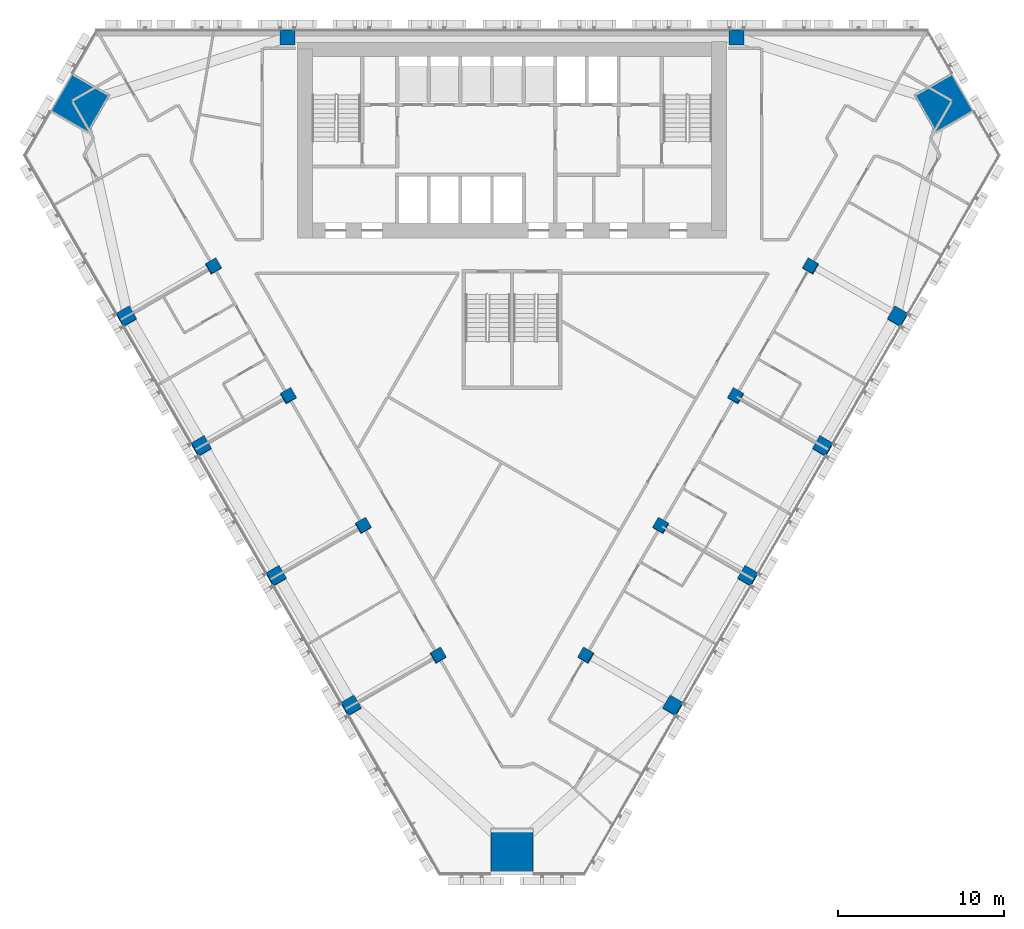
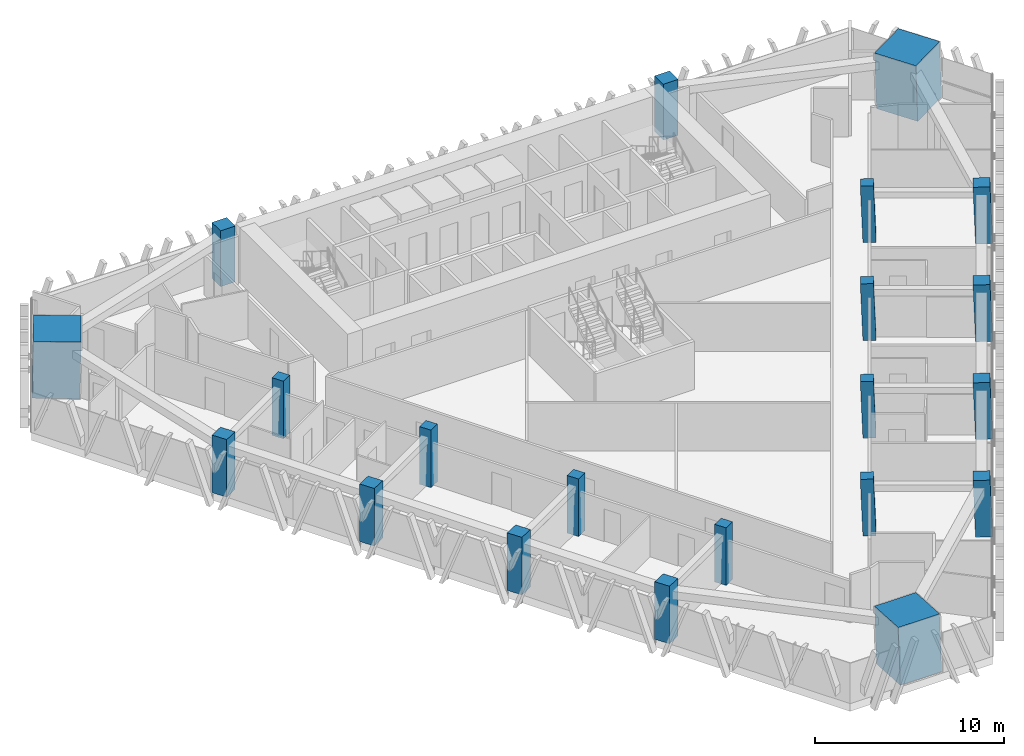
# One storey, part 1 of 16: 21 columns.
"""IFC4 building model written with IfcOpenShell, lengths in metres."""

from ifc_helpers import new_model, si_unit, direction, frame, origin, origin_2d, place, context, subcontext, project, spatial, rectangle, extrude, material, material_profile, profile_set, type_object, element, save


model = new_model("IFC4")

# Units and contexts
model_context = context("Model", 3, precision=1e-05, world=origin(), true_north=direction((0.0, 1.0)))
body_context = subcontext(model_context, "Body", "Model", "MODEL_VIEW")
ifc_project = project(units=[si_unit("LENGTHUNIT", "METRE"), si_unit("AREAUNIT", "SQUARE_METRE"), si_unit("VOLUMEUNIT", "CUBIC_METRE"), si_unit("PLANEANGLEUNIT", "RADIAN"), si_unit("MASSUNIT", "GRAM", prefix="KILO")], contexts=[model_context])

# Site, building, storey
site_placement = place(None, origin())
site = spatial("IfcSite", under=ifc_project, at=site_placement, CompositionType="ELEMENT")
building_placement = place(site_placement, origin())
building = spatial("IfcBuilding", under=site, at=building_placement, Name="Altiplano Prism Tower", CompositionType="ELEMENT")
storey_placement = place(building_placement, frame((0.0, 0.0, 88.199951171875)))
storey = spatial("IfcBuildingStorey", under=building, at=storey_placement, Name="L22", CompositionType="ELEMENT", Elevation=88.199951171875)

# Columns
ifc_material_1 = material(Name="Concrete C60/75", Category="concrete")
ifc_material_profile_1 = material_profile(ifc_material_1, rectangle(XDim=0.699951171875, YDim=0.699951171875, at=origin_2d()), Name="Inner column 700")
ifc_profile_set_1 = profile_set([ifc_material_profile_1], Name="Concrete C60/75")
column_type_1 = type_object("IfcColumnType", Name="Inner column 700", PredefinedType="COLUMN", material=ifc_profile_set_1)
for number, where, z_axis, x_axis, name in (
    (1, (67.052001953125, 90.7958984375, -0.021240234375), (0.022221406801, 0.038413224561, 0.999014831351), (-0.866024065394, -0.498523117158, 0.038432015521), "Inner column I11 L22"),
    (2, (71.552001953125, 83.00146484375, -0.021240234375), (0.02222134892, 0.038480872521, 0.999012229206), (-0.865639410047, -0.499186822153, 0.038482832055), "Inner column I12 L22"),
    (3, (76.052001953125, 75.207275390625, -0.021240234375), (0.02222134892, 0.038480872521, 0.999012229206), (-0.865642081321, -0.499182199018, 0.038482713395), "Inner column I13 L22"),
    (4, (80.552001953125, 67.4130859375, -0.021240234375), (0.02222134892, 0.038480872521, 0.999012229206), (-0.865642081321, -0.499182199018, 0.038482713395), "Inner column I14 L22"),
    (5, (89.447998046875, 67.4130859375, -0.021240234375), (-0.02222134892, 0.038480872521, 0.999012229206), (-0.500169969809, -0.865642163156, 0.022218160761), "Inner column I21 L22"),
    (6, (93.947998046875, 75.207275390625, -0.021240234375), (-0.02222134892, 0.038480872521, 0.999012229206), (-0.500169969809, -0.865642163156, 0.022218160761), "Inner column I22 L22"),
    (7, (98.447998046875, 83.00146484375, -0.021240234375), (-0.02222134892, 0.038480872521, 0.999012229206), (-0.500174592943, -0.865639497158, 0.022217955235), "Inner column I23 L22"),
    (8, (102.947998046875, 90.7958984375, -0.021240234375), (-0.022221406801, 0.038413224561, 0.999014831351), (-0.499512940858, -0.866022219206, 0.022188685317), "Inner column I24 L22"),
):
    element("IfcColumn", number, at=place(storey_placement, frame(where, z_axis=z_axis, x_axis=x_axis)), inside=storey, type_object=column_type_1, Name=name, PredefinedType="COLUMN", context=body_context, shape_type="SweptSolid", body=[
        extrude(rectangle(XDim=0.699951171875, YDim=0.699951171875, at=origin_2d()), origin(), (0.0, 0.0, 1.0), 3.603759765625),
    ])
ifc_material_2 = material(Name="Concrete C70/85", Category="concrete")
ifc_material_profile_2 = material_profile(ifc_material_2, rectangle(XDim=2.52001953125, YDim=2.52001953125, at=origin_2d()), Name="Mega column infill 2600")
ifc_profile_set_2 = profile_set([ifc_material_profile_2], Name="Concrete C70/85")
column_type_2 = type_object("IfcColumnType", Name="Mega column infill 2600", PredefinedType="COLUMN", material=ifc_profile_set_2)
column_1_placement = place(storey_placement, frame((58.990966796875, 100.58642578125, 0.0), z_axis=(0.028401796786, 0.009286506348, 0.999553449666), x_axis=(-0.86620189855, 0.499294816778, 0.019973905167)))
element("IfcColumn", 9, at=column_1_placement, inside=storey, type_object=column_type_2, Name="Mega column M0 L22", PredefinedType="COLUMN", context=body_context, shape_type="SweptSolid", body=[
    extrude(rectangle(XDim=2.52001953125, YDim=2.52001953125, at=origin_2d()), origin(), (0.0, 0.0, 1.0), 3.601806640625),
])
column_2_placement = place(storey_placement, frame((85.0, 55.53759765625, 0.0), z_axis=(0.0, 0.058356907999, 0.998295783467), x_axis=(-1.0, 0.0, 0.0)))
element("IfcColumn", 10, at=column_2_placement, inside=storey, type_object=column_type_2, Name="Mega column M1 L22", PredefinedType="COLUMN", context=body_context, shape_type="SweptSolid", body=[
    extrude(rectangle(XDim=2.52001953125, YDim=2.52001953125, at=origin_2d()), origin(), (0.0, 0.0, 1.0), 3.606201171875),
])
column_3_placement = place(storey_placement, frame((111.009033203125, 100.58642578125, 0.0), z_axis=(-0.028401796786, 0.009286506348, 0.999553449666), x_axis=(0.498886368713, -0.866382390598, 0.022224859352)))
element("IfcColumn", 11, at=column_3_placement, inside=storey, type_object=column_type_2, Name="Mega column M2 L22", PredefinedType="COLUMN", context=body_context, shape_type="SweptSolid", body=[
    extrude(rectangle(XDim=2.52001953125, YDim=2.52001953125, at=origin_2d()), origin(), (0.0, 0.0, 1.0), 3.601806640625),
])
ifc_material_profile_3 = material_profile(ifc_material_1, rectangle(XDim=0.89990234375, YDim=0.89990234375, at=origin_2d()), Name="Perimeter column 900")
ifc_profile_set_3 = profile_set([ifc_material_profile_3], Name="Concrete C60/75")
column_type_3 = type_object("IfcColumnType", Name="Perimeter column 900", PredefinedType="COLUMN", material=ifc_profile_set_3)
for number, where, z_axis, x_axis, name in (
    (12, (98.5, 104.550048828125, 0.0), (0.0, 0.0, 1.0), (1.0, 0.0, 0.0), "Perimeter column P01 L22"),
    (13, (71.5, 104.550048828125, 0.0), (0.0, 0.0, 1.0), (1.0, 0.0, 0.0), "Perimeter column P04 L22"),
):
    element("IfcColumn", number, at=place(storey_placement, frame(where, z_axis=z_axis, x_axis=x_axis)), inside=storey, type_object=column_type_3, Name=name, PredefinedType="COLUMN", context=body_context, shape_type="SweptSolid", body=[
        extrude(rectangle(XDim=0.89990234375, YDim=0.89990234375, at=origin_2d()), origin(), (0.0, 0.0, 1.0), 3.60009765625),
    ])
for number, where, z_axis, x_axis, name in (
    (14, (61.8125, 87.7705078125, -0.02734375), (0.022153634206, 0.038480930364, 0.999013730882), (-0.864979728815, -0.500331280926, 0.038453583269), "Perimeter column P11 L22"),
    (15, (66.3125, 79.976318359375, -0.02734375), (0.022153634206, 0.038480930364, 0.999013730882), (-0.864979728815, -0.500331280926, 0.038453583269), "Perimeter column P12 L22"),
    (16, (70.8125, 72.18212890625, -0.02734375), (0.02215369191, 0.038413282303, 0.999016333038), (-0.865364661836, -0.499669122996, 0.038402728683), "Perimeter column P13 L22"),
    (17, (75.3125, 64.387939453125, -0.02734375), (0.02215369191, 0.038413282303, 0.999016333038), (-0.865364661836, -0.499669122996, 0.038402728683), "Perimeter column P14 L22"),
    (18, (94.6875, 64.387939453125, -0.02734375), (-0.02215369191, 0.038413282303, 0.999016333038), (-0.500652789846, -0.865364193428, 0.022171981242), "Perimeter column P21 L22"),
    (19, (99.1875, 72.18212890625, -0.02734375), (-0.02215369191, 0.038413282303, 0.999016333038), (-0.500652789846, -0.865364193428, 0.022171981242), "Perimeter column P22 L22"),
    (20, (103.6875, 79.976318359375, -0.02734375), (-0.022153634206, 0.038480930364, 0.999013730882), (-0.501317549295, -0.864978512638, 0.022201068531), "Perimeter column P23 L22"),
    (21, (108.1875, 87.7705078125, -0.02734375), (-0.022153634206, 0.038480930364, 0.999013730882), (-0.501317549295, -0.864978512638, 0.022201068531), "Perimeter column P24 L22"),
):
    element("IfcColumn", number, at=place(storey_placement, frame(where, z_axis=z_axis, x_axis=x_axis)), inside=storey, type_object=column_type_3, Name=name, PredefinedType="COLUMN", context=body_context, shape_type="SweptSolid", body=[
        extrude(rectangle(XDim=0.89990234375, YDim=0.89990234375, at=origin_2d()), origin(), (0.0, 0.0, 1.0), 3.603759765625),
    ])

save(model, "model.ifc")
